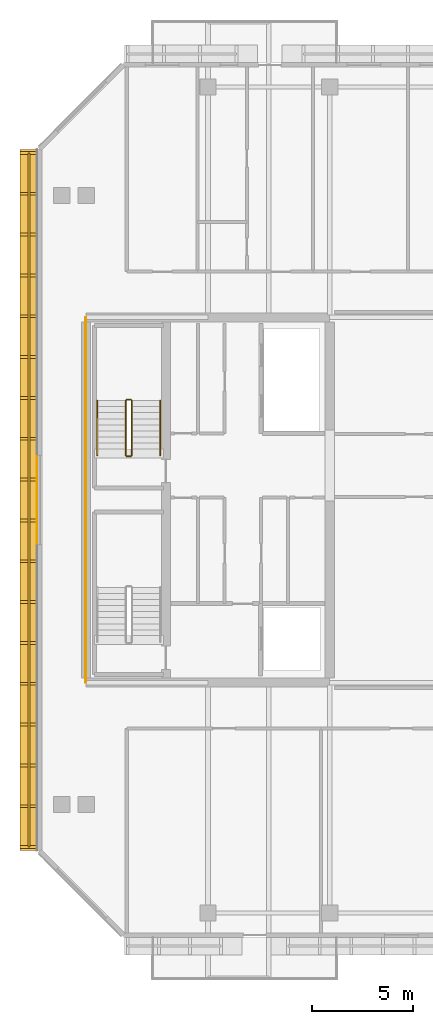
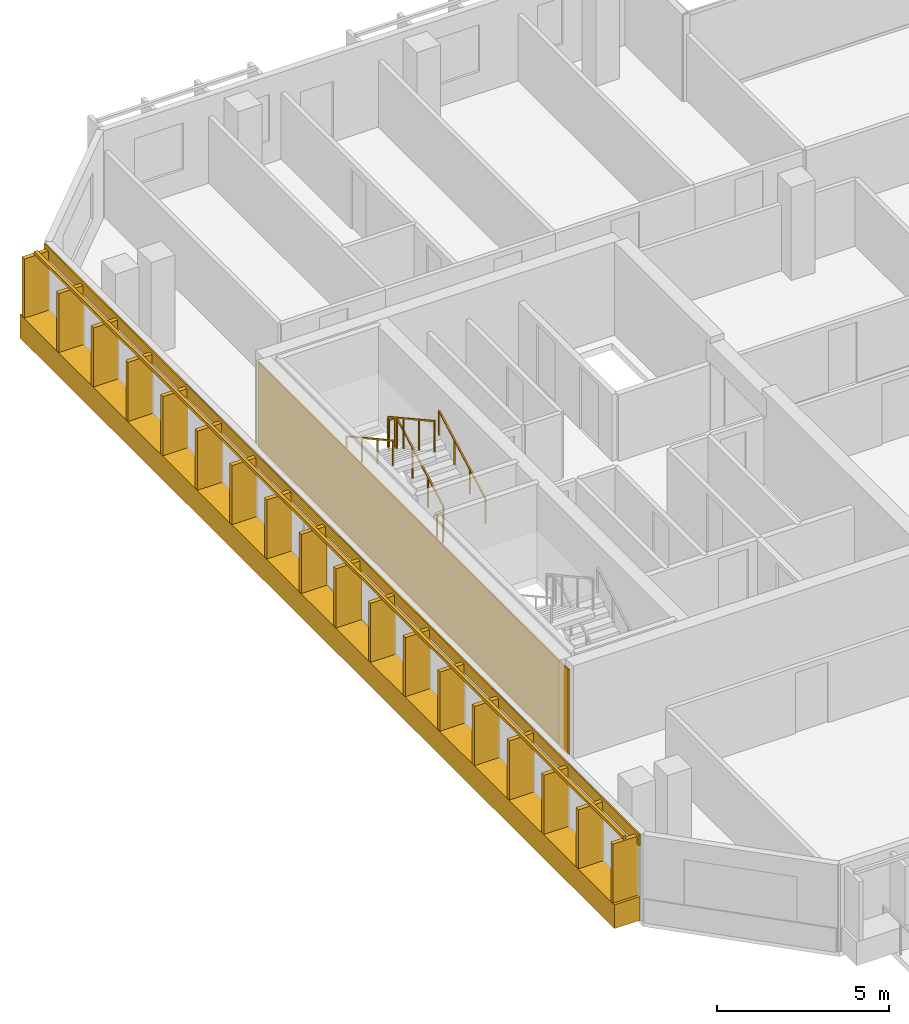
# One storey, part 13 of 16: 7 railings, 3 coverings.
"""IFC4 building model written with IfcOpenShell, lengths in metres."""

from ifc_helpers import new_model, si_unit, direction, frame, origin, origin_2d, place, context, subcontext, project, spatial, rectangle, extrude, material, layer, layer_set, type_object, element, save


model = new_model("IFC4")

# Units and contexts
model_context = context("Model", 3, precision=1e-05, world=origin(), true_north=direction((0.0, 1.0)))
body_context = subcontext(model_context, "Body", "Model", "MODEL_VIEW")
ifc_project = project(units=[si_unit("LENGTHUNIT", "METRE"), si_unit("AREAUNIT", "SQUARE_METRE"), si_unit("VOLUMEUNIT", "CUBIC_METRE"), si_unit("PLANEANGLEUNIT", "RADIAN"), si_unit("MASSUNIT", "GRAM", prefix="KILO")], contexts=[model_context])

# Site, building, storey
site_placement = place(None, origin())
site = spatial("IfcSite", under=ifc_project, at=site_placement, CompositionType="ELEMENT")
building_placement = place(site_placement, origin())
building = spatial("IfcBuilding", under=site, at=building_placement, Name="Tanjung Sevakor Pilgrim Tower", CompositionType="ELEMENT")
storey_placement = place(building_placement, frame((0.0, 0.0, 191.72998046875)))
storey = spatial("IfcBuildingStorey", under=building, at=storey_placement, Name="L53", CompositionType="ELEMENT", Elevation=191.72998046875)

# Coverings
ifc_material_1 = material(Name="Reconstructed Limestone Cladding", Category="masonry")
ifc_layer = layer(ifc_material_1, 0.044921875)
ifc_layer_set = layer_set([ifc_layer], Name="COV-CLAD-LIMESTONE")
covering_type = type_object("IfcCoveringType", Name="COV-CLAD-LIMESTONE", PredefinedType="CLADDING", material=ifc_layer_set)
covering_1_placement = place(storey_placement, frame((21.169921875, 33.60009765625, 0.009765625), z_axis=(0.0, 0.0, 1.0), x_axis=(0.0, -1.0, 0.0)))
element("IfcCovering", 1, at=covering_1_placement, inside=storey, type_object=covering_type, Name="L53 Warm Limestone Sill Spandrel EW-L53-MAIN-15-1", PredefinedType="CLADDING", context=body_context, shape_type="SweptSolid", body=[
    extrude(rectangle(XDim=34.52880859375, YDim=0.860107421875, at=origin_2d()), origin(), (0.0, 0.0, 1.0), 0.840087890625),
])
covering_2_placement = place(storey_placement, frame((21.577392578125, 33.60009765625, 2.66015625), z_axis=(0.0, 0.0, 1.0), x_axis=(0.0, -1.0, 0.0)))
element("IfcCovering", 2, at=covering_2_placement, inside=storey, type_object=covering_type, Name="L53 Warm Limestone Cornice Spandrel EW-L53-MAIN-15", PredefinedType="CLADDING", context=body_context, shape_type="SweptSolid", body=[
    extrude(rectangle(XDim=34.56884765625, YDim=0.044921875, at=origin_2d()), origin(), (0.0, 0.0, 1.0), 0.409912109375),
])
covering_3_placement = place(storey_placement, frame((23.9775390625, 33.60009765625, 0.02001953125), z_axis=(0.0, 0.0, 1.0), x_axis=(1.0, 0.0, 0.0)))
element("IfcCovering", 3, at=covering_3_placement, inside=storey, type_object=covering_type, Name="L53 Expressed Core Warm Limestone Cladding W", PredefinedType="CLADDING", context=body_context, shape_type="SweptSolid", body=[
    extrude(rectangle(XDim=0.044921875, YDim=18.0, at=origin_2d()), origin(), (0.0, 0.0, 1.0), 3.0400390625),
])

# Railings
ifc_material_2 = material(Name="Anodised Bronze Aluminium 6063-T6", Category="aluminium")
railing_type_1 = type_object("IfcRailingType", Name="RL-FIN-SCREEN", PredefinedType="BALUSTRADE", material=ifc_material_2)
railing_1_placement = place(storey_placement, frame((21.175048828125, 50.704345703125, 0.840087890625)))
element("IfcRailing", 4, at=railing_1_placement, inside=storey, type_object=railing_type_1, Name="L53 Vertical Bronze-Gold Solar Fin Screen FNEND-EW-L53-MAIN-15-1", PredefinedType="BALUSTRADE", context=body_context, shape_type="SweptSolid", body=[
    extrude(rectangle(XDim=0.105, YDim=0.105), frame((0.0, 0.0, 2.157470703125), z_axis=(0.0, -1.0, 0.0), x_axis=(1.0, 0.0, 0.0)), (0.0, 0.0, 1.0), 34.208740234375),
    extrude(rectangle(XDim=0.85, YDim=0.14), origin(), (0.0, 0.0, 1.0), 2.10498046875),
    extrude(rectangle(XDim=0.85, YDim=0.14), frame((0.0, -2.01220703125, 0.0)), (0.0, 0.0, 1.0), 2.10498046875),
    extrude(rectangle(XDim=0.85, YDim=0.14), frame((0.0, -4.024658203125, 0.0)), (0.0, 0.0, 1.0), 2.10498046875),
    extrude(rectangle(XDim=0.85, YDim=0.14), frame((0.0, -6.036865234375, 0.0)), (0.0, 0.0, 1.0), 2.10498046875),
    extrude(rectangle(XDim=0.85, YDim=0.14), frame((0.0, -8.049072265625, 0.0)), (0.0, 0.0, 1.0), 2.10498046875),
    extrude(rectangle(XDim=0.85, YDim=0.14), frame((0.0, -10.061279296875, 0.0)), (0.0, 0.0, 1.0), 2.10498046875),
    extrude(rectangle(XDim=0.85, YDim=0.14), frame((0.0, -12.07373046875, 0.0)), (0.0, 0.0, 1.0), 2.10498046875),
    extrude(rectangle(XDim=0.85, YDim=0.14), frame((0.0, -14.0859375, 0.0)), (0.0, 0.0, 1.0), 2.10498046875),
    extrude(rectangle(XDim=0.85, YDim=0.14), frame((0.0, -16.09814453125, 0.0)), (0.0, 0.0, 1.0), 2.10498046875),
    extrude(rectangle(XDim=0.85, YDim=0.14), frame((0.0, -18.110595703125, 0.0)), (0.0, 0.0, 1.0), 2.10498046875),
    extrude(rectangle(XDim=0.85, YDim=0.14), frame((0.0, -20.122802734375, 0.0)), (0.0, 0.0, 1.0), 2.10498046875),
    extrude(rectangle(XDim=0.85, YDim=0.14), frame((0.0, -22.135009765625, 0.0)), (0.0, 0.0, 1.0), 2.10498046875),
    extrude(rectangle(XDim=0.85, YDim=0.14), frame((0.0, -24.1474609375, 0.0)), (0.0, 0.0, 1.0), 2.10498046875),
    extrude(rectangle(XDim=0.85, YDim=0.14), frame((0.0, -26.15966796875, 0.0)), (0.0, 0.0, 1.0), 2.10498046875),
    extrude(rectangle(XDim=0.85, YDim=0.14), frame((0.0, -28.171875, 0.0)), (0.0, 0.0, 1.0), 2.10498046875),
    extrude(rectangle(XDim=0.85, YDim=0.14), frame((0.0, -30.18408203125, 0.0)), (0.0, 0.0, 1.0), 2.10498046875),
    extrude(rectangle(XDim=0.85, YDim=0.14), frame((0.0, -32.196533203125, 0.0)), (0.0, 0.0, 1.0), 2.10498046875),
    extrude(rectangle(XDim=0.85, YDim=0.14), frame((0.0, -34.208740234375, 0.0)), (0.0, 0.0, 1.0), 2.10498046875),
])
ifc_material_3 = material(Name="Steel S355J2", Category="steel")
railing_type_2 = type_object("IfcRailingType", Name="RL-STAIR-GUARD", PredefinedType="GUARDRAIL", material=ifc_material_3)
railing_2_placement = place(storey_placement, frame((26.25, 35.800048828125, 0.1650390625)))
element("IfcRailing", 5, at=railing_2_placement, inside=storey, type_object=railing_type_2, Name="L53 TS-W2 stair guard 1", PredefinedType="GUARDRAIL", context=body_context, shape_type="SweptSolid", body=[
    extrude(rectangle(XDim=0.0479, YDim=0.0479), frame((0.0, 0.0, 1.076171875), z_axis=(0.0, 0.876230963923, 0.481891375584), x_axis=(-1.0, 0.0, 0.0)), (0.0, 0.0, 1.0), 3.081298828125),
    extrude(rectangle(XDim=0.042, YDim=0.042), origin(), (0.0, 0.0, 1.0), 1.052001953125),
    extrude(rectangle(XDim=0.042, YDim=0.042), frame((0.0, 0.89990234375, 0.494873046875)), (0.0, 0.0, 1.0), 1.052001953125),
    extrude(rectangle(XDim=0.042, YDim=0.042), frame((0.0, 1.800048828125, 0.989990234375)), (0.0, 0.0, 1.0), 1.052001953125),
    extrude(rectangle(XDim=0.042, YDim=0.042), frame((0.0, 2.699951171875, 1.48486328125)), (0.0, 0.0, 1.0), 1.052001953125),
])
railing_3_placement = place(storey_placement, frame((26.199951171875, 38.550048828125, 1.64990234375)))
element("IfcRailing", 6, at=railing_3_placement, inside=storey, type_object=railing_type_2, Name="L53 TS-W2 stair guard 2", PredefinedType="GUARDRAIL", context=body_context, shape_type="SweptSolid", body=[
    extrude(rectangle(XDim=0.0479, YDim=0.0479), frame((0.0, 0.0, 1.076171875), z_axis=(-1.0, 0.0, 0.0), x_axis=(0.0, -1.0, 0.0)), (0.0, 0.0, 1.0), 0.199951171875),
    extrude(rectangle(XDim=0.042, YDim=0.042), origin(), (0.0, 0.0, 1.0), 1.052001953125),
    extrude(rectangle(XDim=0.042, YDim=0.042), frame((-0.199951171875, 0.0, 0.0)), (0.0, 0.0, 1.0), 1.052001953125),
])
railing_4_placement = place(storey_placement, frame((25.949951171875, 38.5, 1.81494140625)))
element("IfcRailing", 7, at=railing_4_placement, inside=storey, type_object=railing_type_2, Name="L53 TS-W2 stair guard 3", PredefinedType="GUARDRAIL", context=body_context, shape_type="SweptSolid", body=[
    extrude(rectangle(XDim=0.0479, YDim=0.0479), frame((0.0, 0.0, 1.076171875), z_axis=(0.0, -0.876197507361, 0.481952205197), x_axis=(1.0, 0.0, 0.0)), (0.0, 0.0, 1.0), 3.08154296875),
    extrude(rectangle(XDim=0.042, YDim=0.042), origin(), (0.0, 0.0, 1.0), 1.052001953125),
    extrude(rectangle(XDim=0.042, YDim=0.042), frame((0.0, -0.89990234375, 0.4951171875)), (0.0, 0.0, 1.0), 1.052001953125),
    extrude(rectangle(XDim=0.042, YDim=0.042), frame((0.0, -1.800048828125, 0.989990234375)), (0.0, 0.0, 1.0), 1.052001953125),
    extrude(rectangle(XDim=0.042, YDim=0.042), frame((0.0, -2.699951171875, 1.485107421875)), (0.0, 0.0, 1.0), 1.052001953125),
])
railing_5_placement = place(storey_placement, frame((26.199951171875, 35.75, 0.0)))
element("IfcRailing", 8, at=railing_5_placement, inside=storey, type_object=railing_type_2, Name="L53 TS-W2 stair guard 4", PredefinedType="GUARDRAIL", context=body_context, shape_type="SweptSolid", body=[
    extrude(rectangle(XDim=0.0479, YDim=0.0479), frame((0.0, 0.0, 1.076171875), z_axis=(-1.0, 0.0, 0.0), x_axis=(0.0, -1.0, 0.0)), (0.0, 0.0, 1.0), 0.199951171875),
    extrude(rectangle(XDim=0.042, YDim=0.042), origin(), (0.0, 0.0, 1.0), 1.052001953125),
    extrude(rectangle(XDim=0.042, YDim=0.042), frame((-0.199951171875, 0.0, 0.0)), (0.0, 0.0, 1.0), 1.052001953125),
])
ifc_material_4 = material(Name="Steel S355J2", Category="steel")
railing_type_3 = type_object("IfcRailingType", Name="RL-STAIR-HAND", PredefinedType="HANDRAIL", material=ifc_material_4)
railing_6_placement = place(storey_placement, frame((27.64990234375, 35.800048828125, 0.1650390625)))
element("IfcRailing", 9, at=railing_6_placement, inside=storey, type_object=railing_type_3, Name="L53 TS-W2 stair handrail 1", PredefinedType="HANDRAIL", context=body_context, shape_type="SweptSolid", body=[
    extrude(rectangle(XDim=0.0479, YDim=0.0479), frame((0.0, 0.0, 0.8759765625), z_axis=(0.0, 0.876230963923, 0.481891375584), x_axis=(-1.0, 0.0, 0.0)), (0.0, 0.0, 1.0), 3.081298828125),
    extrude(rectangle(XDim=0.042, YDim=0.042), origin(), (0.0, 0.0, 1.0), 0.851806640625),
    extrude(rectangle(XDim=0.042, YDim=0.042), frame((0.0, 0.89990234375, 0.494873046875)), (0.0, 0.0, 1.0), 0.851806640625),
    extrude(rectangle(XDim=0.042, YDim=0.042), frame((0.0, 1.800048828125, 0.989990234375)), (0.0, 0.0, 1.0), 0.851806640625),
    extrude(rectangle(XDim=0.042, YDim=0.042), frame((0.0, 2.699951171875, 1.48486328125)), (0.0, 0.0, 1.0), 0.851806640625),
])
railing_7_placement = place(storey_placement, frame((24.550048828125, 38.5, 1.81494140625)))
element("IfcRailing", 10, at=railing_7_placement, inside=storey, type_object=railing_type_3, Name="L53 TS-W2 stair handrail 2", PredefinedType="HANDRAIL", context=body_context, shape_type="SweptSolid", body=[
    extrude(rectangle(XDim=0.0479, YDim=0.0479), frame((0.0, 0.0, 0.8759765625), z_axis=(0.0, -0.876197507361, 0.481952205197), x_axis=(1.0, 0.0, 0.0)), (0.0, 0.0, 1.0), 3.08154296875),
    extrude(rectangle(XDim=0.042, YDim=0.042), origin(), (0.0, 0.0, 1.0), 0.851806640625),
    extrude(rectangle(XDim=0.042, YDim=0.042), frame((0.0, -0.89990234375, 0.4951171875)), (0.0, 0.0, 1.0), 0.851806640625),
    extrude(rectangle(XDim=0.042, YDim=0.042), frame((0.0, -1.800048828125, 0.989990234375)), (0.0, 0.0, 1.0), 0.851806640625),
    extrude(rectangle(XDim=0.042, YDim=0.042), frame((0.0, -2.699951171875, 1.485107421875)), (0.0, 0.0, 1.0), 0.851806640625),
])

save(model, "model.ifc")
